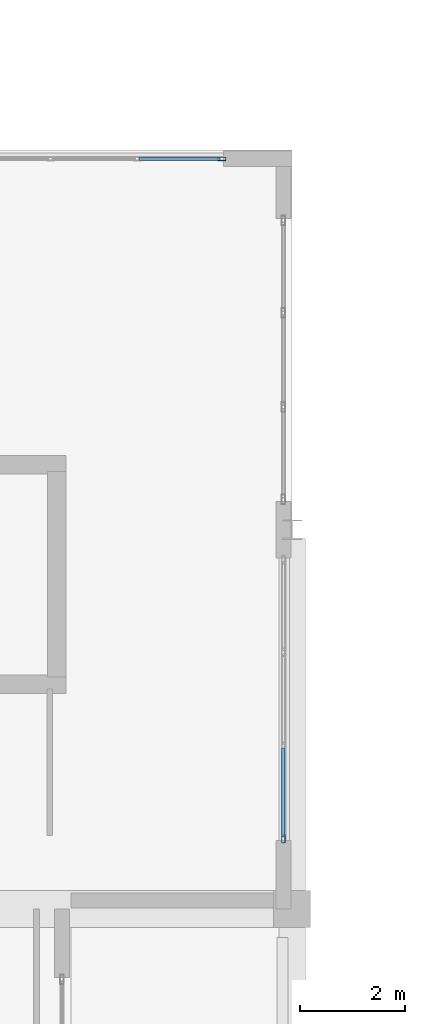
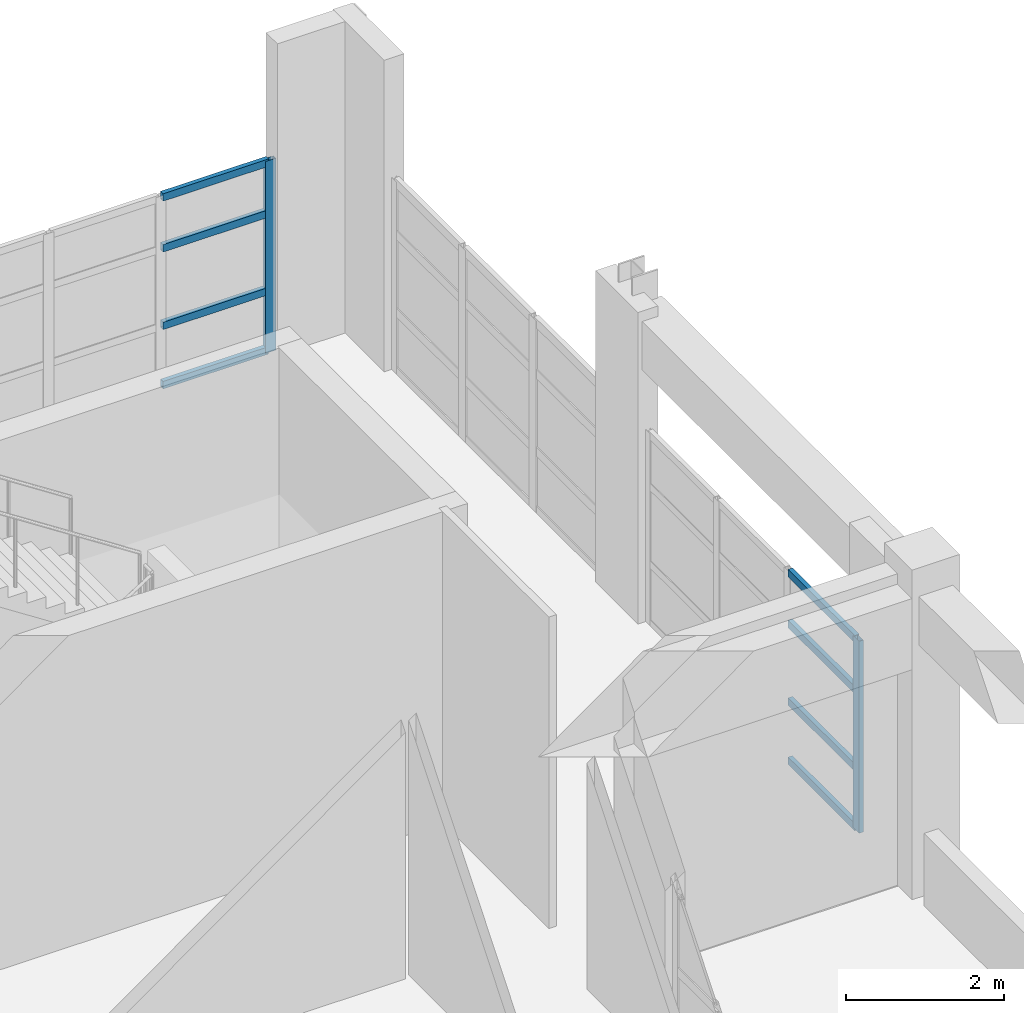
# One storey, part 25 of 103: 10 members, 2 elements without a shape of their own.
"""IFC4 building model written with IfcOpenShell, lengths in metres."""

from ifc_helpers import new_model, si_unit, direction, frame, origin, origin_2d, place, context, subcontext, project, spatial, hollow_rectangle, extrude, material, layer, layer_set, material_profile, profile_set, type_object, element, aggregate, save


model = new_model("IFC4")

# Units and contexts
model_context = context("Model", 3, precision=1e-05, world=origin(), true_north=direction((0.0, 1.0)))
body_context = subcontext(model_context, "Body", "Model", "MODEL_VIEW")
ifc_project = project(units=[si_unit("LENGTHUNIT", "METRE"), si_unit("AREAUNIT", "SQUARE_METRE"), si_unit("VOLUMEUNIT", "CUBIC_METRE"), si_unit("PLANEANGLEUNIT", "RADIAN"), si_unit("MASSUNIT", "GRAM", prefix="KILO")], contexts=[model_context])

# Site, building, storey
site_placement = place(None, origin())
site = spatial("IfcSite", under=ifc_project, at=site_placement, CompositionType="ELEMENT")
building_placement = place(site_placement, origin())
building = spatial("IfcBuilding", under=site, at=building_placement, Name="Quendrovan Civic Courthouse", CompositionType="ELEMENT")
storey_placement = place(building_placement, frame((0.0, 0.0, 15.300048828125)))
storey = spatial("IfcBuildingStorey", under=building, at=storey_placement, Name="L04", CompositionType="ELEMENT", Elevation=15.300048828125)

# Curtain wall, member
ifc_material_1 = material(Name="Bronze anodised aluminium and low-E glass", Category="aluminium")
ifc_layer_1 = layer(ifc_material_1, 0.179931640625, Name="Bronze anodised aluminium and low-E glass")
ifc_layer_set_1 = layer_set([ifc_layer_1], Name="Bronze anodised aluminium and low-E glass")
curtain_wall_type_1 = type_object("IfcCurtainWallType", Name="CW-U66x30", PredefinedType="USERDEFINED", material=ifc_layer_set_1)
curtain_wall_1_placement = place(storey_placement, origin())
curtain_wall_1 = element("IfcCurtainWall", 1, at=curtain_wall_1_placement, inside=storey, type_object=curtain_wall_type_1, Name="L04 Unitised Hurricane Curtain Wall CW-145", ObjectType="UNITISED CURTAIN WALL", PredefinedType="USERDEFINED")
ifc_material_2 = material(Name="Bronze anodised aluminium", Category="aluminium")
ifc_material_profile_1 = material_profile(ifc_material_2, hollow_rectangle(XDim=0.06494140625, YDim=0.14990234375, WallThickness=0.00390625, at=origin_2d()), Name="CW-MULL-65x150")
ifc_profile_set_1 = profile_set([ifc_material_profile_1], Name="Bronze anodised aluminium")
member_type_1 = type_object("IfcMemberType", Name="CW-MULL-B", PredefinedType="MULLION", material=ifc_profile_set_1)
member_1_placement = place(storey_placement, frame((15.467529296875, 94.635009765625, 0.0), z_axis=(0.0, 0.0, 1.0), x_axis=(0.0, 1.0, 0.0)))
member_1 = element("IfcMember", 2, at=member_1_placement, type_object=member_type_1, Name="CW-145 mullion 5", PredefinedType="MULLION", context=body_context, shape_type="SweptSolid", body=[
    extrude(hollow_rectangle(XDim=0.06494140625, YDim=0.14990234375, WallThickness=0.00390625, at=origin_2d()), origin(), (0.0, 0.0, 1.0), 2.969970703125),
])

ifc_layer_2 = layer(ifc_material_1, 0.179931640625, Name="Bronze anodised aluminium and low-E glass")
ifc_layer_set_2 = layer_set([ifc_layer_2], Name="Bronze anodised aluminium and low-E glass")
curtain_wall_type_2 = type_object("IfcCurtainWallType", Name="CW-U54x30", PredefinedType="USERDEFINED", material=ifc_layer_set_2)
curtain_wall_2_placement = place(storey_placement, origin())
curtain_wall_2 = element("IfcCurtainWall", 3, at=curtain_wall_2_placement, inside=storey, type_object=curtain_wall_type_2, Name="L04 Unitised Hurricane Curtain Wall CW-147", ObjectType="UNITISED CURTAIN WALL", PredefinedType="USERDEFINED")
member_2_placement = place(storey_placement, frame((16.635009765625, 81.732421875, 0.0), z_axis=(0.0, 0.0, 1.0), x_axis=(1.0, 0.0, 0.0)))
member_2 = element("IfcMember", 4, at=member_2_placement, type_object=member_type_1, Name="CW-147 mullion 4", PredefinedType="MULLION", context=body_context, shape_type="SweptSolid", body=[
    extrude(hollow_rectangle(XDim=0.06494140625, YDim=0.14990234375, WallThickness=0.00390625, at=origin_2d()), origin(), (0.0, 0.0, 1.0), 2.969970703125),
])

# Member
ifc_material_profile_2 = material_profile(ifc_material_2, hollow_rectangle(XDim=0.06494140625, YDim=0.114990234375, WallThickness=0.00390625, at=origin_2d()), Name="CW-TRAN-65x115")
ifc_profile_set_2 = profile_set([ifc_material_profile_2], Name="Bronze anodised aluminium")
member_type_2 = type_object("IfcMemberType", Name="CW-TRAN-B", PredefinedType="USERDEFINED", material=ifc_profile_set_2)
member_3_placement = place(storey_placement, frame((13.891845703125, 94.635009765625, 0.032470703125), z_axis=(1.0, 0.0, 0.0), x_axis=(0.0, 1.0, 0.0)))
member_3 = element("IfcMember", 5, at=member_3_placement, type_object=member_type_2, Name="CW-145 transom 4.1", ObjectType="TRANSOM", PredefinedType="USERDEFINED", context=body_context, shape_type="SweptSolid", body=[
    extrude(hollow_rectangle(XDim=0.06494140625, YDim=0.114990234375, WallThickness=0.00390625, at=origin_2d()), origin(), (0.0, 0.0, 1.0), 1.543212890625),
])

member_4_placement = place(storey_placement, frame((13.891845703125, 94.635009765625, 0.949951171875), z_axis=(1.0, 0.0, 0.0), x_axis=(0.0, 1.0, 0.0)))
member_4 = element("IfcMember", 6, at=member_4_placement, type_object=member_type_2, Name="CW-145 transom 4.2", ObjectType="TRANSOM", PredefinedType="USERDEFINED", context=body_context, shape_type="SweptSolid", body=[
    extrude(hollow_rectangle(XDim=0.06494140625, YDim=0.114990234375, WallThickness=0.00390625, at=origin_2d()), origin(), (0.0, 0.0, 1.0), 1.543212890625),
])

member_5_placement = place(storey_placement, frame((13.891845703125, 94.635009765625, 2.14990234375), z_axis=(1.0, 0.0, 0.0), x_axis=(0.0, 1.0, 0.0)))
member_5 = element("IfcMember", 7, at=member_5_placement, type_object=member_type_2, Name="CW-145 transom 4.3", ObjectType="TRANSOM", PredefinedType="USERDEFINED", context=body_context, shape_type="SweptSolid", body=[
    extrude(hollow_rectangle(XDim=0.06494140625, YDim=0.114990234375, WallThickness=0.00390625, at=origin_2d()), origin(), (0.0, 0.0, 1.0), 1.543212890625),
])

member_6_placement = place(storey_placement, frame((13.891845703125, 94.635009765625, 2.9375), z_axis=(1.0, 0.0, 0.0), x_axis=(0.0, 1.0, 0.0)))
member_6 = element("IfcMember", 8, at=member_6_placement, type_object=member_type_2, Name="CW-145 transom 4.4", ObjectType="TRANSOM", PredefinedType="USERDEFINED", context=body_context, shape_type="SweptSolid", body=[
    extrude(hollow_rectangle(XDim=0.06494140625, YDim=0.114990234375, WallThickness=0.00390625, at=origin_2d()), origin(), (0.0, 0.0, 1.0), 1.543212890625),
])

aggregate(curtain_wall_1, [member_1, member_3, member_4, member_5, member_6])

member_7_placement = place(storey_placement, frame((16.635009765625, 83.455078125, 0.032470703125), z_axis=(0.0, -1.0, 0.0), x_axis=(1.0, 0.0, 0.0)))
member_7 = element("IfcMember", 9, at=member_7_placement, type_object=member_type_2, Name="CW-147 transom 3.1", ObjectType="TRANSOM", PredefinedType="USERDEFINED", context=body_context, shape_type="SweptSolid", body=[
    extrude(hollow_rectangle(XDim=0.06494140625, YDim=0.114990234375, WallThickness=0.00390625, at=origin_2d()), origin(), (0.0, 0.0, 1.0), 1.690185546875),
])

member_8_placement = place(storey_placement, frame((16.635009765625, 83.455078125, 0.949951171875), z_axis=(0.0, -1.0, 0.0), x_axis=(1.0, 0.0, 0.0)))
member_8 = element("IfcMember", 10, at=member_8_placement, type_object=member_type_2, Name="CW-147 transom 3.2", ObjectType="TRANSOM", PredefinedType="USERDEFINED", context=body_context, shape_type="SweptSolid", body=[
    extrude(hollow_rectangle(XDim=0.06494140625, YDim=0.114990234375, WallThickness=0.00390625, at=origin_2d()), origin(), (0.0, 0.0, 1.0), 1.690185546875),
])

member_9_placement = place(storey_placement, frame((16.635009765625, 83.455078125, 2.14990234375), z_axis=(0.0, -1.0, 0.0), x_axis=(1.0, 0.0, 0.0)))
member_9 = element("IfcMember", 11, at=member_9_placement, type_object=member_type_2, Name="CW-147 transom 3.3", ObjectType="TRANSOM", PredefinedType="USERDEFINED", context=body_context, shape_type="SweptSolid", body=[
    extrude(hollow_rectangle(XDim=0.06494140625, YDim=0.114990234375, WallThickness=0.00390625, at=origin_2d()), origin(), (0.0, 0.0, 1.0), 1.690185546875),
])

member_10_placement = place(storey_placement, frame((16.635009765625, 83.455078125, 2.9375), z_axis=(0.0, -1.0, 0.0), x_axis=(1.0, 0.0, 0.0)))
member_10 = element("IfcMember", 12, at=member_10_placement, type_object=member_type_2, Name="CW-147 transom 3.4", ObjectType="TRANSOM", PredefinedType="USERDEFINED", context=body_context, shape_type="SweptSolid", body=[
    extrude(hollow_rectangle(XDim=0.06494140625, YDim=0.114990234375, WallThickness=0.00390625, at=origin_2d()), origin(), (0.0, 0.0, 1.0), 1.690185546875),
])

aggregate(curtain_wall_2, [member_2, member_7, member_8, member_9, member_10])

save(model, "model.ifc")
